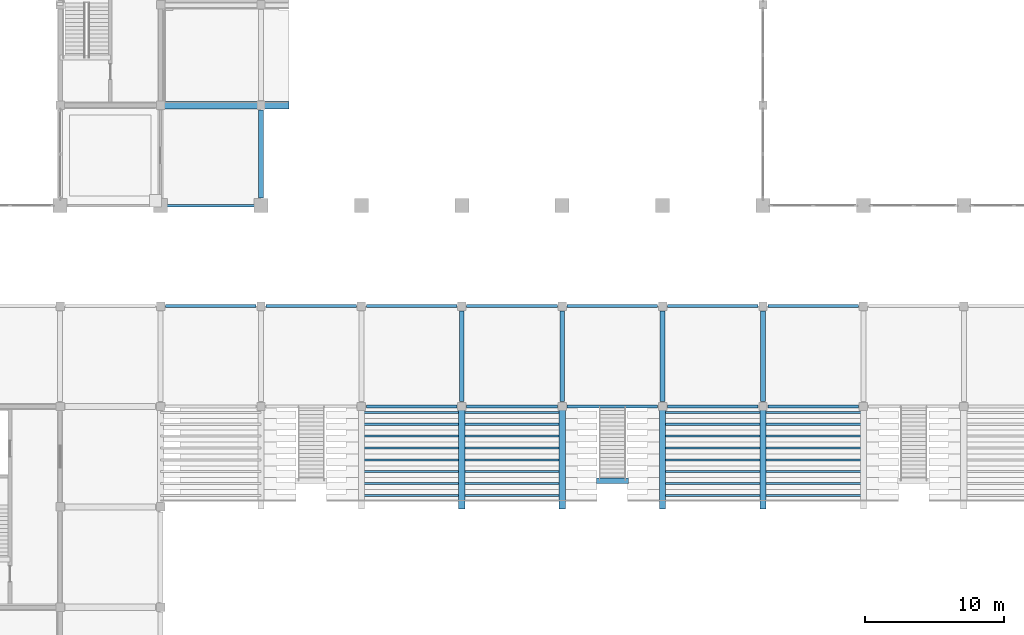
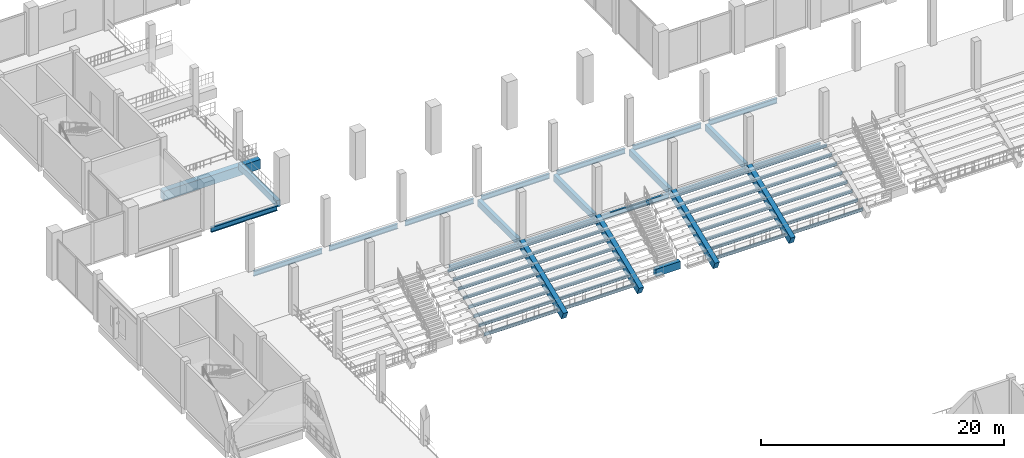
# One storey, part 25 of 99: 40 beams.
"""IFC4 building model written with IfcOpenShell, lengths in metres."""

from ifc_helpers import new_model, si_unit, direction, frame, origin, origin_2d, place, context, subcontext, project, spatial, rectangle, i_section, extrude, material, material_profile, profile_set, type_object, element, save


model = new_model("IFC4")

# Units and contexts
model_context = context("Model", 3, precision=1e-05, world=origin(), true_north=direction((0.0, 1.0)))
body_context = subcontext(model_context, "Body", "Model", "MODEL_VIEW")
ifc_project = project(units=[si_unit("LENGTHUNIT", "METRE"), si_unit("AREAUNIT", "SQUARE_METRE"), si_unit("VOLUMEUNIT", "CUBIC_METRE"), si_unit("PLANEANGLEUNIT", "RADIAN"), si_unit("MASSUNIT", "GRAM", prefix="KILO")], contexts=[model_context])

# Site, building, storey
site_placement = place(None, origin())
site = spatial("IfcSite", under=ifc_project, at=site_placement, CompositionType="ELEMENT")
building_placement = place(site_placement, origin())
building = spatial("IfcBuilding", under=site, at=building_placement, Name="Vesperath Aquatics Centre", CompositionType="ELEMENT")
storey_placement = place(building_placement, frame((0.0, 0.0, 5.39990234375)))
storey = spatial("IfcBuildingStorey", under=building, at=storey_placement, Name="L01", CompositionType="ELEMENT", Elevation=5.39990234375)

# Beams
ifc_material_1 = material(Name="Concrete C40", Category="concrete")
ifc_material_profile_1 = material_profile(ifc_material_1, rectangle(XDim=0.5400390625, YDim=0.949951171875, at=origin_2d()), Name="RC 540x950")
ifc_profile_set_1 = profile_set([ifc_material_profile_1], Name="Concrete C40")
beam_type_1 = type_object("IfcBeamType", Name="BM-DP03", PredefinedType="BEAM", material=ifc_profile_set_1)
beam_1_placement = place(storey_placement, frame((14.39990234375, 93.60009765625, -1.19482421875), z_axis=(1.0, 0.0, 0.0), x_axis=(0.0, 1.0, 0.0)))
element("IfcBeam", 1, at=beam_1_placement, inside=storey, type_object=beam_type_1, Name="Diving Platform Girder DPB3 DP_5M-S", PredefinedType="BEAM", context=body_context, shape_type="SweptSolid", body=[
    extrude(rectangle(XDim=0.5400390625, YDim=0.949951171875, at=origin_2d()), origin(), (0.0, 0.0, 1.0), 9.2001953125),
])
ifc_material_2 = material(Name="Concrete C35", Category="concrete")
ifc_material_profile_2 = material_profile(ifc_material_2, rectangle(XDim=0.39990234375, YDim=0.75, at=origin_2d()), Name="RC 400x750")
ifc_profile_set_2 = profile_set([ifc_material_profile_2], Name="Concrete C35")
beam_type_2 = type_object("IfcBeamType", Name="BM-G04", PredefinedType="BEAM", material=ifc_profile_set_2)
beam_2_placement = place(storey_placement, frame((45.64990234375, 66.679931640625, -3.574951171875), z_axis=(1.0, 0.0, 0.0), x_axis=(0.0, 1.0, 0.0)))
element("IfcBeam", 2, at=beam_2_placement, inside=storey, type_object=beam_type_2, Name="Vomitory VOM-05 Portal Bearer Beam B04", PredefinedType="BEAM", context=body_context, shape_type="SweptSolid", body=[
    extrude(rectangle(XDim=0.39990234375, YDim=0.75, at=origin_2d()), origin(), (0.0, 0.0, 1.0), 2.300048828125),
])
ifc_material_profile_3 = material_profile(ifc_material_2, rectangle(XDim=0.35009765625, YDim=0.64990234375, at=origin_2d()), Name="RC 350x650")
ifc_profile_set_3 = profile_set([ifc_material_profile_3], Name="Concrete C35")
beam_type_3 = type_object("IfcBeamType", Name="BM-G05", PredefinedType="BEAM", material=ifc_profile_set_3)
beam_3_placement = place(storey_placement, frame((21.60009765625, 86.949951171875, -0.5849609375), z_axis=(0.0, 1.0, 0.0), x_axis=(-1.0, 0.0, 0.0)))
element("IfcBeam", 3, at=beam_3_placement, inside=storey, type_object=beam_type_3, Name="Floor Girder B05 L01 4 N-P", PredefinedType="BEAM", context=body_context, shape_type="SweptSolid", body=[
    extrude(rectangle(XDim=0.35009765625, YDim=0.64990234375, at=origin_2d()), origin(), (0.0, 0.0, 1.0), 6.300048828125),
])
for number, where, z_axis, x_axis, name in (
    (4, (36.0, 72.35009765625, -0.5849609375), (0.0, 1.0, 0.0), (-1.0, 0.0, 0.0), "Floor Girder B05 L01 6 L-M"),
    (5, (43.199951171875, 72.35009765625, -0.5849609375), (0.0, 1.0, 0.0), (-1.0, 0.0, 0.0), "Floor Girder B05 L01 7 L-M"),
    (6, (50.39990234375, 72.35009765625, -0.5849609375), (0.0, 1.0, 0.0), (-1.0, 0.0, 0.0), "Floor Girder B05 L01 8 L-M"),
    (7, (57.60009765625, 72.35009765625, -0.5849609375), (0.0, 1.0, 0.0), (-1.0, 0.0, 0.0), "Floor Girder B05 L01 9 L-M"),
):
    element("IfcBeam", number, at=place(storey_placement, frame(where, z_axis=z_axis, x_axis=x_axis)), inside=storey, type_object=beam_type_3, Name=name, PredefinedType="BEAM", context=body_context, shape_type="SweptSolid", body=[
        extrude(rectangle(XDim=0.35009765625, YDim=0.64990234375, at=origin_2d()), origin(), (0.0, 0.0, 1.0), 6.5),
    ])
ifc_material_3 = material(Name="Steel Q355C", Category="steel")
ifc_material_profile_4 = material_profile(ifc_material_3, i_section(OverallWidth=0.14990234375, OverallDepth=0.300048828125, WebThickness=0.006591796875, FlangeThickness=0.009033203125, FilletRadius=0.012939453125, at=origin_2d()), Name="HN 300x150x6.5x9")
ifc_profile_set_4 = profile_set([ifc_material_profile_4], Name="Steel Q355C")
beam_type_4 = type_object("IfcBeamType", Name="BM-J06", PredefinedType="JOIST", material=ifc_profile_set_4)
beam_4_placement = place(storey_placement, frame((28.800048828125, 71.574951171875, -0.52978515625), z_axis=(1.0, 0.0, 0.0), x_axis=(0.0, 1.0, 0.0)))
element("IfcBeam", 8, at=beam_4_placement, inside=storey, type_object=beam_type_4, Name="Lower Tier Bearer Beam J06 N-R1-B2M", PredefinedType="JOIST", context=body_context, shape_type="SweptSolid", body=[
    extrude(i_section(OverallWidth=0.14990234375, OverallDepth=0.300048828125, WebThickness=0.006591796875, FlangeThickness=0.009033203125, FilletRadius=0.012939453125, at=origin_2d()), origin(), (0.0, 0.0, 1.0), 14.39990234375),
])
beam_5_placement = place(storey_placement, frame((50.39990234375, 71.574951171875, -0.52978515625), z_axis=(1.0, 0.0, 0.0), x_axis=(0.0, 1.0, 0.0)))
element("IfcBeam", 9, at=beam_5_placement, inside=storey, type_object=beam_type_4, Name="Lower Tier Bearer Beam J06 N-R1-B3M", PredefinedType="JOIST", context=body_context, shape_type="SweptSolid", body=[
    extrude(i_section(OverallWidth=0.14990234375, OverallDepth=0.300048828125, WebThickness=0.006591796875, FlangeThickness=0.009033203125, FilletRadius=0.012939453125, at=origin_2d()), origin(), (0.0, 0.0, 1.0), 14.400146484375),
])
beam_6_placement = place(storey_placement, frame((28.800048828125, 70.72509765625, -0.929931640625), z_axis=(1.0, 0.0, 0.0), x_axis=(0.0, 1.0, 0.0)))
element("IfcBeam", 10, at=beam_6_placement, inside=storey, type_object=beam_type_4, Name="Lower Tier Bearer Beam J06 N-R2-B2M", PredefinedType="JOIST", context=body_context, shape_type="SweptSolid", body=[
    extrude(i_section(OverallWidth=0.14990234375, OverallDepth=0.300048828125, WebThickness=0.006591796875, FlangeThickness=0.009033203125, FilletRadius=0.012939453125, at=origin_2d()), origin(), (0.0, 0.0, 1.0), 14.39990234375),
])
beam_7_placement = place(storey_placement, frame((50.39990234375, 70.72509765625, -0.929931640625), z_axis=(1.0, 0.0, 0.0), x_axis=(0.0, 1.0, 0.0)))
element("IfcBeam", 11, at=beam_7_placement, inside=storey, type_object=beam_type_4, Name="Lower Tier Bearer Beam J06 N-R2-B3M", PredefinedType="JOIST", context=body_context, shape_type="SweptSolid", body=[
    extrude(i_section(OverallWidth=0.14990234375, OverallDepth=0.300048828125, WebThickness=0.006591796875, FlangeThickness=0.009033203125, FilletRadius=0.012939453125, at=origin_2d()), origin(), (0.0, 0.0, 1.0), 14.400146484375),
])
beam_8_placement = place(storey_placement, frame((28.800048828125, 69.875, -1.329833984375), z_axis=(1.0, 0.0, 0.0), x_axis=(0.0, 1.0, 0.0)))
element("IfcBeam", 12, at=beam_8_placement, inside=storey, type_object=beam_type_4, Name="Lower Tier Bearer Beam J06 N-R3-B2M", PredefinedType="JOIST", context=body_context, shape_type="SweptSolid", body=[
    extrude(i_section(OverallWidth=0.14990234375, OverallDepth=0.300048828125, WebThickness=0.006591796875, FlangeThickness=0.009033203125, FilletRadius=0.012939453125, at=origin_2d()), origin(), (0.0, 0.0, 1.0), 14.39990234375),
])
beam_9_placement = place(storey_placement, frame((50.39990234375, 69.875, -1.329833984375), z_axis=(1.0, 0.0, 0.0), x_axis=(0.0, 1.0, 0.0)))
element("IfcBeam", 13, at=beam_9_placement, inside=storey, type_object=beam_type_4, Name="Lower Tier Bearer Beam J06 N-R3-B3M", PredefinedType="JOIST", context=body_context, shape_type="SweptSolid", body=[
    extrude(i_section(OverallWidth=0.14990234375, OverallDepth=0.300048828125, WebThickness=0.006591796875, FlangeThickness=0.009033203125, FilletRadius=0.012939453125, at=origin_2d()), origin(), (0.0, 0.0, 1.0), 14.400146484375),
])
beam_10_placement = place(storey_placement, frame((28.800048828125, 69.02490234375, -1.72998046875), z_axis=(1.0, 0.0, 0.0), x_axis=(0.0, 1.0, 0.0)))
element("IfcBeam", 14, at=beam_10_placement, inside=storey, type_object=beam_type_4, Name="Lower Tier Bearer Beam J06 N-R4-B2M", PredefinedType="JOIST", context=body_context, shape_type="SweptSolid", body=[
    extrude(i_section(OverallWidth=0.14990234375, OverallDepth=0.300048828125, WebThickness=0.006591796875, FlangeThickness=0.009033203125, FilletRadius=0.012939453125, at=origin_2d()), origin(), (0.0, 0.0, 1.0), 14.39990234375),
])
beam_11_placement = place(storey_placement, frame((50.39990234375, 69.02490234375, -1.72998046875), z_axis=(1.0, 0.0, 0.0), x_axis=(0.0, 1.0, 0.0)))
element("IfcBeam", 15, at=beam_11_placement, inside=storey, type_object=beam_type_4, Name="Lower Tier Bearer Beam J06 N-R4-B3M", PredefinedType="JOIST", context=body_context, shape_type="SweptSolid", body=[
    extrude(i_section(OverallWidth=0.14990234375, OverallDepth=0.300048828125, WebThickness=0.006591796875, FlangeThickness=0.009033203125, FilletRadius=0.012939453125, at=origin_2d()), origin(), (0.0, 0.0, 1.0), 14.400146484375),
])
beam_12_placement = place(storey_placement, frame((28.800048828125, 68.175048828125, -2.1298828125), z_axis=(1.0, 0.0, 0.0), x_axis=(0.0, 1.0, 0.0)))
element("IfcBeam", 16, at=beam_12_placement, inside=storey, type_object=beam_type_4, Name="Lower Tier Bearer Beam J06 N-R5-B2M", PredefinedType="JOIST", context=body_context, shape_type="SweptSolid", body=[
    extrude(i_section(OverallWidth=0.14990234375, OverallDepth=0.300048828125, WebThickness=0.006591796875, FlangeThickness=0.009033203125, FilletRadius=0.012939453125, at=origin_2d()), origin(), (0.0, 0.0, 1.0), 14.39990234375),
])
beam_13_placement = place(storey_placement, frame((50.39990234375, 68.175048828125, -2.1298828125), z_axis=(1.0, 0.0, 0.0), x_axis=(0.0, 1.0, 0.0)))
element("IfcBeam", 17, at=beam_13_placement, inside=storey, type_object=beam_type_4, Name="Lower Tier Bearer Beam J06 N-R5-B3M", PredefinedType="JOIST", context=body_context, shape_type="SweptSolid", body=[
    extrude(i_section(OverallWidth=0.14990234375, OverallDepth=0.300048828125, WebThickness=0.006591796875, FlangeThickness=0.009033203125, FilletRadius=0.012939453125, at=origin_2d()), origin(), (0.0, 0.0, 1.0), 14.400146484375),
])
beam_14_placement = place(storey_placement, frame((28.800048828125, 67.324951171875, -2.52978515625), z_axis=(1.0, 0.0, 0.0), x_axis=(0.0, 1.0, 0.0)))
element("IfcBeam", 18, at=beam_14_placement, inside=storey, type_object=beam_type_4, Name="Lower Tier Bearer Beam J06 N-R6-B2M", PredefinedType="JOIST", context=body_context, shape_type="SweptSolid", body=[
    extrude(i_section(OverallWidth=0.14990234375, OverallDepth=0.300048828125, WebThickness=0.006591796875, FlangeThickness=0.009033203125, FilletRadius=0.012939453125, at=origin_2d()), origin(), (0.0, 0.0, 1.0), 14.39990234375),
])
beam_15_placement = place(storey_placement, frame((50.39990234375, 67.324951171875, -2.52978515625), z_axis=(1.0, 0.0, 0.0), x_axis=(0.0, 1.0, 0.0)))
element("IfcBeam", 19, at=beam_15_placement, inside=storey, type_object=beam_type_4, Name="Lower Tier Bearer Beam J06 N-R6-B3M", PredefinedType="JOIST", context=body_context, shape_type="SweptSolid", body=[
    extrude(i_section(OverallWidth=0.14990234375, OverallDepth=0.300048828125, WebThickness=0.006591796875, FlangeThickness=0.009033203125, FilletRadius=0.012939453125, at=origin_2d()), origin(), (0.0, 0.0, 1.0), 14.400146484375),
])
beam_16_placement = place(storey_placement, frame((28.800048828125, 66.47509765625, -2.929931640625), z_axis=(1.0, 0.0, 0.0), x_axis=(0.0, 1.0, 0.0)))
element("IfcBeam", 20, at=beam_16_placement, inside=storey, type_object=beam_type_4, Name="Lower Tier Bearer Beam J06 N-R7-B2M", PredefinedType="JOIST", context=body_context, shape_type="SweptSolid", body=[
    extrude(i_section(OverallWidth=0.14990234375, OverallDepth=0.300048828125, WebThickness=0.006591796875, FlangeThickness=0.009033203125, FilletRadius=0.012939453125, at=origin_2d()), origin(), (0.0, 0.0, 1.0), 14.39990234375),
])
beam_17_placement = place(storey_placement, frame((50.39990234375, 66.47509765625, -2.929931640625), z_axis=(1.0, 0.0, 0.0), x_axis=(0.0, 1.0, 0.0)))
element("IfcBeam", 21, at=beam_17_placement, inside=storey, type_object=beam_type_4, Name="Lower Tier Bearer Beam J06 N-R7-B3M", PredefinedType="JOIST", context=body_context, shape_type="SweptSolid", body=[
    extrude(i_section(OverallWidth=0.14990234375, OverallDepth=0.300048828125, WebThickness=0.006591796875, FlangeThickness=0.009033203125, FilletRadius=0.012939453125, at=origin_2d()), origin(), (0.0, 0.0, 1.0), 14.400146484375),
])
beam_18_placement = place(storey_placement, frame((28.800048828125, 65.625, -3.329833984375), z_axis=(1.0, 0.0, 0.0), x_axis=(0.0, 1.0, 0.0)))
element("IfcBeam", 22, at=beam_18_placement, inside=storey, type_object=beam_type_4, Name="Lower Tier Bearer Beam J06 N-R8-B2M", PredefinedType="JOIST", context=body_context, shape_type="SweptSolid", body=[
    extrude(i_section(OverallWidth=0.14990234375, OverallDepth=0.300048828125, WebThickness=0.006591796875, FlangeThickness=0.009033203125, FilletRadius=0.012939453125, at=origin_2d()), origin(), (0.0, 0.0, 1.0), 14.39990234375),
])
beam_19_placement = place(storey_placement, frame((50.39990234375, 65.625, -3.329833984375), z_axis=(1.0, 0.0, 0.0), x_axis=(0.0, 1.0, 0.0)))
element("IfcBeam", 23, at=beam_19_placement, inside=storey, type_object=beam_type_4, Name="Lower Tier Bearer Beam J06 N-R8-B3M", PredefinedType="JOIST", context=body_context, shape_type="SweptSolid", body=[
    extrude(i_section(OverallWidth=0.14990234375, OverallDepth=0.300048828125, WebThickness=0.006591796875, FlangeThickness=0.009033203125, FilletRadius=0.012939453125, at=origin_2d()), origin(), (0.0, 0.0, 1.0), 14.400146484375),
])
ifc_material_profile_5 = material_profile(ifc_material_2, rectangle(XDim=0.449951171875, YDim=0.800048828125, at=origin_2d()), Name="RC 450x800")
ifc_profile_set_5 = profile_set([ifc_material_profile_5], Name="Concrete C35")
beam_type_5 = type_object("IfcBeamType", Name="BM-RK01", PredefinedType="USERDEFINED", material=ifc_profile_set_5)
for number, where, z_axis, x_axis, name in (
    (24, (36.0, 72.0, -0.449951171875), (0.0, -0.923075997031, -0.384617607118), (1.0, 0.0, 0.0), "Lower Stand RAKER Beam RK01 North 6"),
    (25, (43.199951171875, 72.0, -0.449951171875), (0.0, -0.923075997031, -0.384617607118), (1.0, 0.0, 0.0), "Lower Stand RAKER Beam RK01 North 7"),
    (26, (50.39990234375, 72.0, -0.449951171875), (0.0, -0.923075997031, -0.384617607118), (1.0, 0.0, 0.0), "Lower Stand RAKER Beam RK01 North 8"),
    (27, (57.60009765625, 72.0, -0.449951171875), (0.0, -0.923075997031, -0.384617607118), (1.0, 0.0, 0.0), "Lower Stand RAKER Beam RK01 North 9"),
):
    element("IfcBeam", number, at=place(storey_placement, frame(where, z_axis=z_axis, x_axis=x_axis)), inside=storey, type_object=beam_type_5, Name=name, ObjectType="RAKER", PredefinedType="USERDEFINED", context=body_context, shape_type="SweptSolid", body=[
        extrude(rectangle(XDim=0.449951171875, YDim=0.800048828125, at=origin_2d()), origin(), (0.0, 0.0, 1.0), 7.800048828125),
    ])
ifc_material_4 = material(Name="Steel Q355D", Category="steel")
ifc_material_profile_6 = material_profile(ifc_material_4, i_section(OverallWidth=0.199951171875, OverallDepth=0.5, WebThickness=0.010009765625, FlangeThickness=0.01611328125, FilletRadius=0.02001953125, at=origin_2d()), Name="HN 500x200x10x16")
ifc_profile_set_6 = profile_set([ifc_material_profile_6], Name="Steel Q355D")
beam_type_6 = type_object("IfcBeamType", Name="BM-SP01", PredefinedType="SPANDREL", material=ifc_profile_set_6)
beam_20_placement = place(storey_placement, frame((14.75, 79.199951171875, -0.510009765625), z_axis=(1.0, 0.0, 0.0), x_axis=(0.0, 1.0, 0.0)))
element("IfcBeam", 28, at=beam_20_placement, inside=storey, type_object=beam_type_6, Name="Floor Girder SP01 L01 M 3-4", PredefinedType="SPANDREL", context=body_context, shape_type="SweptSolid", body=[
    extrude(i_section(OverallWidth=0.199951171875, OverallDepth=0.5, WebThickness=0.010009765625, FlangeThickness=0.01611328125, FilletRadius=0.02001953125, at=origin_2d()), origin(), (0.0, 0.0, 1.0), 6.5),
])
beam_21_placement = place(storey_placement, frame((14.85009765625, 86.39990234375, -0.510009765625), z_axis=(1.0, 0.0, 0.0), x_axis=(0.0, 1.0, 0.0)))
element("IfcBeam", 29, at=beam_21_placement, inside=storey, type_object=beam_type_6, Name="Floor Girder SP01 L01 N 3-4", PredefinedType="SPANDREL", context=body_context, shape_type="SweptSolid", body=[
    extrude(i_section(OverallWidth=0.199951171875, OverallDepth=0.5, WebThickness=0.010009765625, FlangeThickness=0.01611328125, FilletRadius=0.02001953125, at=origin_2d()), origin(), (0.0, 0.0, 1.0), 6.2998046875),
])
for number, where, z_axis, x_axis, name in (
    (30, (21.949951171875, 79.199951171875, -0.510009765625), (1.0, 0.0, 0.0), (0.0, 1.0, 0.0), "Floor Girder SP01 L01 M 4-5"),
    (31, (29.14990234375, 72.0, -0.635009765625), (1.0, 0.0, 0.0), (0.0, 1.0, 0.0), "Floor Girder SP01 L01 L 5-6"),
    (32, (29.14990234375, 79.199951171875, -0.510009765625), (1.0, 0.0, 0.0), (0.0, 1.0, 0.0), "Floor Girder SP01 L01 M 5-6"),
    (33, (36.35009765625, 72.0, -0.635009765625), (1.0, 0.0, 0.0), (0.0, 1.0, 0.0), "Floor Girder SP01 L01 L 6-7"),
    (34, (36.35009765625, 79.199951171875, -0.510009765625), (1.0, 0.0, 0.0), (0.0, 1.0, 0.0), "Floor Girder SP01 L01 M 6-7"),
    (35, (43.550048828125, 72.0, -0.635009765625), (1.0, 0.0, 0.0), (0.0, 1.0, 0.0), "Floor Girder SP01 L01 L 7-8"),
    (36, (43.550048828125, 79.199951171875, -0.510009765625), (1.0, 0.0, 0.0), (0.0, 1.0, 0.0), "Floor Girder SP01 L01 M 7-8"),
    (37, (50.75, 72.0, -0.635009765625), (1.0, 0.0, 0.0), (0.0, 1.0, 0.0), "Floor Girder SP01 L01 L 8-9"),
    (38, (50.75, 79.199951171875, -0.510009765625), (1.0, 0.0, 0.0), (0.0, 1.0, 0.0), "Floor Girder SP01 L01 M 8-9"),
    (39, (57.949951171875, 72.0, -0.635009765625), (1.0, 0.0, 0.0), (0.0, 1.0, 0.0), "Floor Girder SP01 L01 L 9-10"),
    (40, (57.949951171875, 79.199951171875, -0.510009765625), (1.0, 0.0, 0.0), (0.0, 1.0, 0.0), "Floor Girder SP01 L01 M 9-10"),
):
    element("IfcBeam", number, at=place(storey_placement, frame(where, z_axis=z_axis, x_axis=x_axis)), inside=storey, type_object=beam_type_6, Name=name, PredefinedType="SPANDREL", context=body_context, shape_type="SweptSolid", body=[
        extrude(i_section(OverallWidth=0.199951171875, OverallDepth=0.5, WebThickness=0.010009765625, FlangeThickness=0.01611328125, FilletRadius=0.02001953125, at=origin_2d()), origin(), (0.0, 0.0, 1.0), 6.5),
    ])

save(model, "model.ifc")
